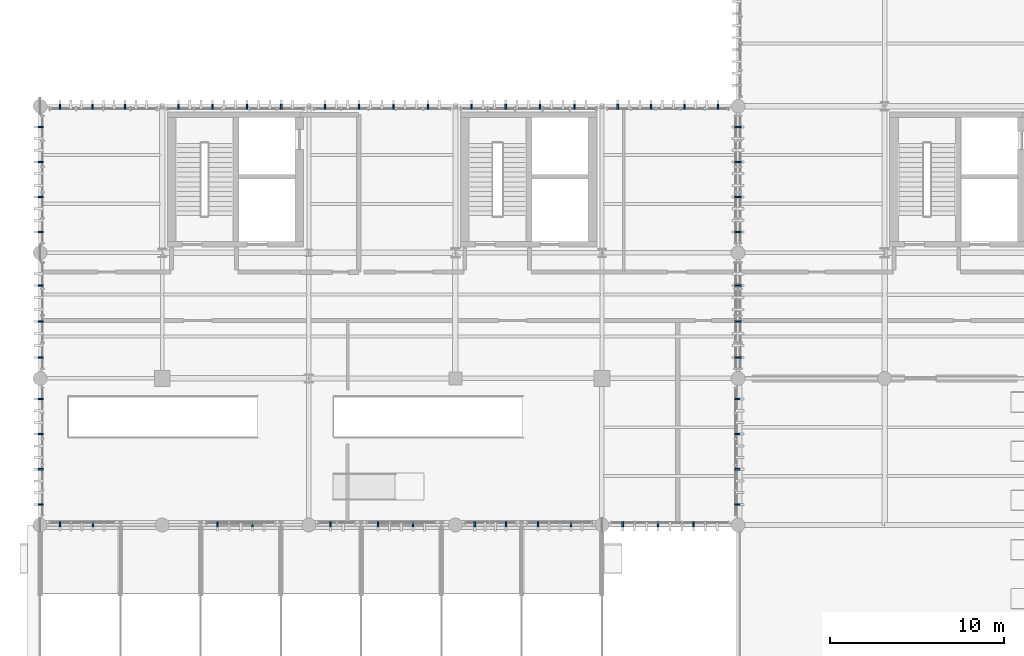
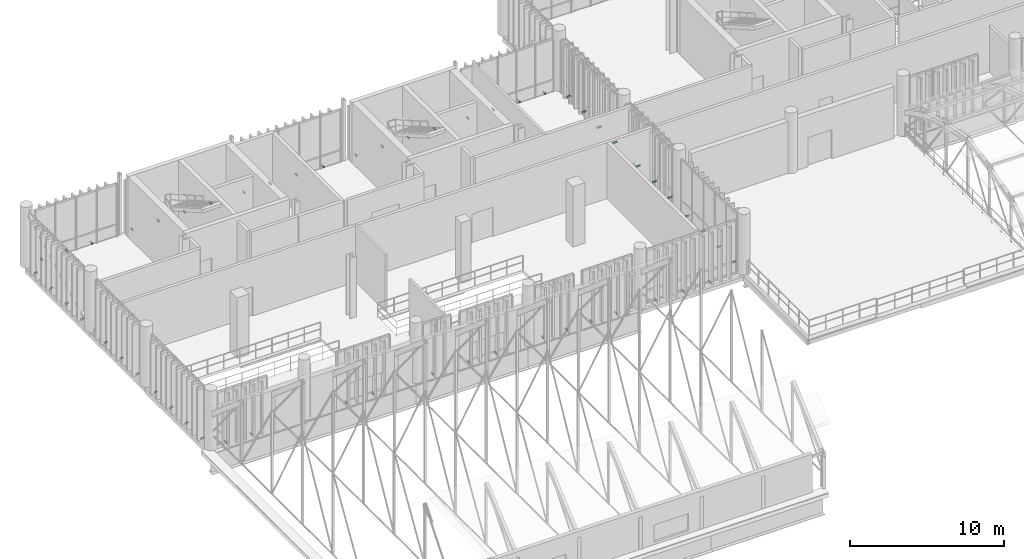
# One storey, part 98 of 109: 62 discrete accessories.
"""IFC4 building model written with IfcOpenShell, lengths in metres."""

from ifc_helpers import new_model, si_unit, direction, frame, origin_with_axes, origin_2d_with_axis, place, context, subcontext, project, spatial, rectangle, extrude, material, type_object, element, save


model = new_model("IFC4")

# Units and contexts
model_context = context("Model", 3, precision=1e-05, world=origin_with_axes(), true_north=direction((0.0, 1.0)))
body_context = subcontext(model_context, "Body", "Model", "MODEL_VIEW")
ifc_project = project(units=[si_unit("LENGTHUNIT", "METRE"), si_unit("AREAUNIT", "SQUARE_METRE"), si_unit("VOLUMEUNIT", "CUBIC_METRE"), si_unit("PLANEANGLEUNIT", "RADIAN"), si_unit("MASSUNIT", "GRAM", prefix="KILO"), si_unit("THERMODYNAMICTEMPERATUREUNIT", "KELVIN")], contexts=[model_context])

# Site, building, storey
site_placement = place(None, origin_with_axes())
site = spatial("IfcSite", under=ifc_project, at=site_placement, CompositionType="ELEMENT")
building_placement = place(site_placement, origin_with_axes())
building = spatial("IfcBuilding", under=site, at=building_placement, Name="Montbau Bow Law Courts", CompositionType="ELEMENT")
storey_placement = place(building_placement, frame((0.0, 0.0, 10.8), z_axis=(0.0, 0.0, 1.0), x_axis=(1.0, 0.0, 0.0)))
storey = spatial("IfcBuildingStorey", under=building, at=storey_placement, Name="L02", CompositionType="ELEMENT", Elevation=10.8)

# Discrete accessories
ifc_material = material(Name="Stainless Steel AISI 316L Outrigger Louvre Bracket", Category="steel")
discrete_accessory_type = type_object("IfcDiscreteAccessoryType", Name="DA-BRK-01", PredefinedType="BRACKET", material=ifc_material)
for number, where, z_axis, x_axis, name in (
    (1, (7.946, 30.64, 10.8), (0.0, 0.0, 1.0), (0.0, -1.0, 0.0), "BRK-L02-0117:brk_0117"),
    (2, (9.841, 30.64, 10.8), (0.0, 0.0, 1.0), (0.0, -1.0, 0.0), "BRK-L02-0118:brk_0118"),
    (3, (16.964, 30.64, 10.8), (0.0, 0.0, 1.0), (0.0, -1.0, 0.0), "BRK-L02-0119:brk_0119"),
    (4, (18.968, 30.64, 10.8), (0.0, 0.0, 1.0), (0.0, -1.0, 0.0), "BRK-L02-0120:brk_0120"),
    (5, (23.445, 30.64, 10.8), (0.0, 0.0, 1.0), (0.0, -1.0, 0.0), "BRK-L02-0121:brk_0121"),
    (6, (26.164, 30.64, 10.8), (0.0, 0.0, 1.0), (0.0, -1.0, 0.0), "BRK-L02-0122:brk_0122"),
    (7, (28.168, 30.64, 10.8), (0.0, 0.0, 1.0), (0.0, -1.0, 0.0), "BRK-L02-0123:brk_0123"),
    (8, (31.713, 30.64, 10.8), (0.0, 0.0, 1.0), (0.0, -1.0, 0.0), "BRK-L02-0124:brk_0124"),
    (9, (33.505, 30.64, 10.8), (0.0, 0.0, 1.0), (0.0, -1.0, 0.0), "BRK-L02-0125:brk_0125"),
    (10, (35.328, 30.64, 10.8), (0.0, 0.0, 1.0), (0.0, -1.0, 0.0), "BRK-L02-0126:brk_0126"),
    (11, (37.222, 30.64, 10.8), (0.0, 0.0, 1.0), (0.0, -1.0, 0.0), "BRK-L02-0127:brk_0127"),
    (12, (40.192, 30.64, 10.8), (0.0, 0.0, 1.0), (0.0, -1.0, 0.0), "BRK-L02-0128:brk_0128"),
    (13, (42.223, 30.64, 10.8), (0.0, 0.0, 1.0), (0.0, -1.0, 0.0), "BRK-L02-0129:brk_0129"),
    (14, (44.254, 30.64, 10.8), (0.0, 0.0, 1.0), (0.0, -1.0, 0.0), "BRK-L02-0130:brk_0130"),
    (15, (7.937, 54.56, 10.8), (0.0, 0.0, 1.0), (0.0, 1.0, 0.0), "BRK-L02-0131:brk_0131"),
    (16, (9.802, 54.56, 10.8), (0.0, 0.0, 1.0), (0.0, 1.0, 0.0), "BRK-L02-0132:brk_0132"),
    (17, (11.668, 54.56, 10.8), (0.0, 0.0, 1.0), (0.0, 1.0, 0.0), "BRK-L02-0133:brk_0133"),
    (18, (14.723, 54.56, 10.8), (0.0, 0.0, 1.0), (0.0, 1.0, 0.0), "BRK-L02-0134:brk_0134"),
    (19, (16.69, 54.56, 10.8), (0.0, 0.0, 1.0), (0.0, 1.0, 0.0), "BRK-L02-0135:brk_0135"),
    (20, (18.656, 54.56, 10.8), (0.0, 0.0, 1.0), (0.0, 1.0, 0.0), "BRK-L02-0136:brk_0136"),
    (21, (20.622, 54.56, 10.8), (0.0, 0.0, 1.0), (0.0, 1.0, 0.0), "BRK-L02-0137:brk_0137"),
    (22, (23.122, 54.56, 10.8), (0.0, 0.0, 1.0), (0.0, 1.0, 0.0), "BRK-L02-0138:brk_0138"),
    (23, (25.089, 54.56, 10.8), (0.0, 0.0, 1.0), (0.0, 1.0, 0.0), "BRK-L02-0139:brk_0139"),
    (24, (27.055, 54.56, 10.8), (0.0, 0.0, 1.0), (0.0, 1.0, 0.0), "BRK-L02-0140:brk_0140"),
    (25, (29.022, 54.56, 10.8), (0.0, 0.0, 1.0), (0.0, 1.0, 0.0), "BRK-L02-0141:brk_0141"),
    (26, (31.522, 54.56, 10.8), (0.0, 0.0, 1.0), (0.0, 1.0, 0.0), "BRK-L02-0142:brk_0142"),
    (27, (33.489, 54.56, 10.8), (0.0, 0.0, 1.0), (0.0, 1.0, 0.0), "BRK-L02-0143:brk_0143"),
    (28, (35.455, 54.56, 10.8), (0.0, 0.0, 1.0), (0.0, 1.0, 0.0), "BRK-L02-0144:brk_0144"),
    (29, (37.421, 54.56, 10.8), (0.0, 0.0, 1.0), (0.0, 1.0, 0.0), "BRK-L02-0145:brk_0145"),
    (30, (39.906, 54.56, 10.8), (0.0, 0.0, 1.0), (0.0, 1.0, 0.0), "BRK-L02-0146:brk_0146"),
    (31, (41.82, 54.56, 10.8), (0.0, 0.0, 1.0), (0.0, 1.0, 0.0), "BRK-L02-0147:brk_0147"),
    (32, (43.733, 54.56, 10.8), (0.0, 0.0, 1.0), (0.0, 1.0, 0.0), "BRK-L02-0148:brk_0148"),
    (33, (45.647, 54.56, 10.8), (0.0, 0.0, 1.0), (0.0, 1.0, 0.0), "BRK-L02-0149:brk_0149"),
    (34, (6.84, 31.785, 10.8), (0.0, 0.0, 1.0), (-1.0, 0.0, 0.0), "BRK-L02-0150:brk_0150"),
    (35, (6.84, 33.795, 10.8), (0.0, 0.0, 1.0), (-1.0, 0.0, 0.0), "BRK-L02-0151:brk_0151"),
    (36, (6.84, 35.805, 10.8), (0.0, 0.0, 1.0), (-1.0, 0.0, 0.0), "BRK-L02-0152:brk_0152"),
    (37, (6.84, 37.815, 10.8), (0.0, 0.0, 1.0), (-1.0, 0.0, 0.0), "BRK-L02-0153:brk_0153"),
    (38, (6.84, 40.201, 10.8), (0.0, 0.0, 1.0), (-1.0, 0.0, 0.0), "BRK-L02-0154:brk_0154"),
    (39, (6.84, 42.257, 10.8), (0.0, 0.0, 1.0), (-1.0, 0.0, 0.0), "BRK-L02-0155:brk_0155"),
    (40, (6.84, 44.314, 10.8), (0.0, 0.0, 1.0), (-1.0, 0.0, 0.0), "BRK-L02-0156:brk_0156"),
    (41, (6.84, 47.385, 10.8), (0.0, 0.0, 1.0), (-1.0, 0.0, 0.0), "BRK-L02-0157:brk_0157"),
    (42, (6.84, 49.395, 10.8), (0.0, 0.0, 1.0), (-1.0, 0.0, 0.0), "BRK-L02-0158:brk_0158"),
    (43, (6.84, 51.405, 10.8), (0.0, 0.0, 1.0), (-1.0, 0.0, 0.0), "BRK-L02-0159:brk_0159"),
    (44, (6.84, 53.415, 10.8), (0.0, 0.0, 1.0), (-1.0, 0.0, 0.0), "BRK-L02-0160:brk_0160"),
    (45, (46.76, 31.785, 10.8), (0.0, 0.0, 1.0), (1.0, 0.0, 0.0), "BRK-L02-0161:brk_0161"),
    (46, (46.76, 33.795, 10.8), (0.0, 0.0, 1.0), (1.0, 0.0, 0.0), "BRK-L02-0162:brk_0162"),
    (47, (46.76, 35.805, 10.8), (0.0, 0.0, 1.0), (1.0, 0.0, 0.0), "BRK-L02-0163:brk_0163"),
    (48, (46.76, 37.815, 10.8), (0.0, 0.0, 1.0), (1.0, 0.0, 0.0), "BRK-L02-0164:brk_0164"),
    (49, (46.76, 40.201, 10.8), (0.0, 0.0, 1.0), (1.0, 0.0, 0.0), "BRK-L02-0165:brk_0165"),
    (50, (46.76, 42.257, 10.8), (0.0, 0.0, 1.0), (1.0, 0.0, 0.0), "BRK-L02-0166:brk_0166"),
    (51, (46.76, 44.314, 10.8), (0.0, 0.0, 1.0), (1.0, 0.0, 0.0), "BRK-L02-0167:brk_0167"),
    (52, (46.76, 47.385, 10.8), (0.0, 0.0, 1.0), (1.0, 0.0, 0.0), "BRK-L02-0168:brk_0168"),
    (53, (46.76, 49.395, 10.8), (0.0, 0.0, 1.0), (1.0, 0.0, 0.0), "BRK-L02-0169:brk_0169"),
    (54, (46.76, 51.405, 10.8), (0.0, 0.0, 1.0), (1.0, 0.0, 0.0), "BRK-L02-0170:brk_0170"),
    (55, (46.76, 53.415, 10.8), (0.0, 0.0, 1.0), (1.0, 0.0, 0.0), "BRK-L02-0171:brk_0171"),
    (56, (46.84, 40.201, 10.8), (0.0, 0.0, 1.0), (-1.0, 0.0, 0.0), "BRK-L02-0571:brk_0571"),
    (57, (46.84, 42.257, 10.8), (0.0, 0.0, 1.0), (-1.0, 0.0, 0.0), "BRK-L02-0572:brk_0572"),
    (58, (46.84, 44.314, 10.8), (0.0, 0.0, 1.0), (-1.0, 0.0, 0.0), "BRK-L02-0573:brk_0573"),
    (59, (46.84, 47.385, 10.8), (0.0, 0.0, 1.0), (-1.0, 0.0, 0.0), "BRK-L02-0574:brk_0574"),
    (60, (46.84, 49.395, 10.8), (0.0, 0.0, 1.0), (-1.0, 0.0, 0.0), "BRK-L02-0575:brk_0575"),
    (61, (46.84, 51.405, 10.8), (0.0, 0.0, 1.0), (-1.0, 0.0, 0.0), "BRK-L02-0576:brk_0576"),
    (62, (46.84, 53.415, 10.8), (0.0, 0.0, 1.0), (-1.0, 0.0, 0.0), "BRK-L02-0577:brk_0577"),
):
    element("IfcDiscreteAccessory", number, at=place(None, frame(where, z_axis=z_axis, x_axis=x_axis)), inside=storey, type_object=discrete_accessory_type, Name=name, PredefinedType="BRACKET", context=body_context, shape_type="SweptSolid", body=[
        extrude(rectangle(XDim=0.28, YDim=0.09, at=origin_2d_with_axis()), origin_with_axes(), (0.0, 0.0, 1.0), 0.12),
    ])

save(model, "model.ifc")
